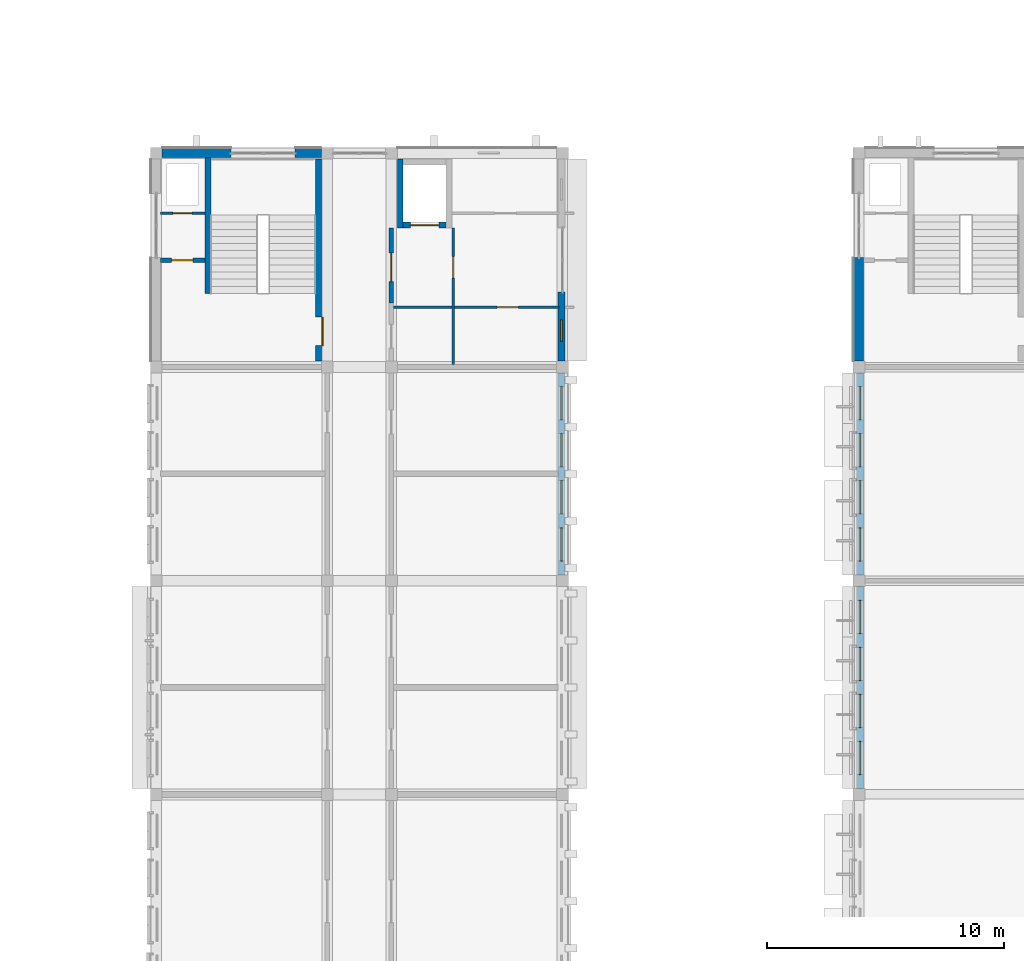
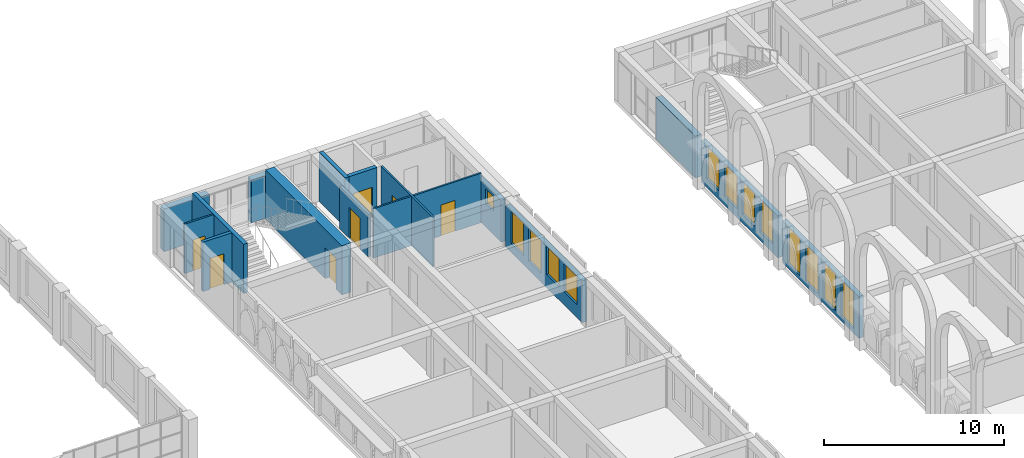
# One storey, part 40 of 70: 16 walls, 13 windows, 7 doors, 20 openings.
"""IFC4 building model written with IfcOpenShell, lengths in metres."""

from ifc_helpers import new_model, si_unit, direction, frame, frame_2d, origin, place, context, subcontext, project, spatial, rectangle, extrude, material, layer, layer_set, type_object, element, fill, save


model = new_model("IFC4")

# Units and contexts
model_context = context("Model", 3, precision=1e-05, world=origin(), true_north=direction((0.0, 1.0)))
body_context = subcontext(model_context, "Body", "Model", "MODEL_VIEW")
ifc_project = project(units=[si_unit("LENGTHUNIT", "METRE"), si_unit("AREAUNIT", "SQUARE_METRE"), si_unit("VOLUMEUNIT", "CUBIC_METRE"), si_unit("PLANEANGLEUNIT", "RADIAN"), si_unit("MASSUNIT", "GRAM", prefix="KILO")], contexts=[model_context])

# Site, building, storey
site_placement = place(None, origin())
site = spatial("IfcSite", under=ifc_project, at=site_placement, CompositionType="ELEMENT")
building_placement = place(site_placement, origin())
building = spatial("IfcBuilding", under=site, at=building_placement, Name="Elbe Cascade School", CompositionType="ELEMENT")
storey_placement = place(building_placement, frame((0.0, 0.0, 8.10009765625)))
storey = spatial("IfcBuildingStorey", under=building, at=storey_placement, Name="L02", CompositionType="ELEMENT", Elevation=8.10009765625)

# Wall, opening, door
ifc_material_1 = material(Name="Masonry - lime-sand block, plastered", Category="masonry")
ifc_layer_1 = layer(ifc_material_1, 0.199951171875)
ifc_layer_set_1 = layer_set([ifc_layer_1], Name="Masonry - lime-sand block, plastered")
wall_type_1 = type_object("IfcWallType", Name="Bar corridor wall lime-sand block 200 EI 30", PredefinedType="PARTITIONING", material=ifc_layer_set_1)
wall_1_placement = place(storey_placement, frame((78.89990234375, 56.85009765625, 0.0), z_axis=(0.0, 0.0, 1.0), x_axis=(0.0, -1.0, 0.0)))
wall_1 = element("IfcWall", 1, at=wall_1_placement, inside=storey, type_object=wall_type_1, Name="Bar corridor wall lime-sand block 200 EI 30", PredefinedType="PARTITIONING", context=body_context, shape_type="SweptSolid", body=[
    extrude(rectangle(XDim=3.150146484375, YDim=0.199951171875, at=frame_2d((1.5751953125, 0.0))), origin(), (0.0, 0.0, 1.0), 2.89990234375),
])
opening_1_placement = place(wall_1_placement, frame((1.050048828125, 0.0, 0.0)))
opening_1 = element("IfcOpeningElement", 2, at=opening_1_placement, cuts=wall_1, Name="Opening D2.023", PredefinedType="OPENING", context=body_context, shape_type="SweptSolid", body=[
    extrude(rectangle(XDim=1.199951171875, YDim=2.10009765625, at=frame_2d((0.60009765625, 1.050048828125))), frame((0.0, 0.10986328125, 0.0), z_axis=(0.0, -1.0, 0.0), x_axis=(1.0, 0.0, 0.0)), (0.0, 0.0, 1.0), 0.219970703125),
])
ifc_material_2 = material(Name="Timber door leaf, fire-resisting and smoke-tight, steel frame", Category="steel")
door_type_1 = type_object("IfcDoorType", Name="Bar door FD30S 1200x2100", OperationType="NOTDEFINED", PredefinedType="DOOR", material=ifc_material_2)
door_1_placement = place(opening_1_placement, origin())
door_1 = element("IfcDoor", 3, at=door_1_placement, inside=storey, type_object=door_type_1, Name="Door A2.15", OperationType="SINGLE_SWING_LEFT", OverallHeight=2.10009765625, OverallWidth=1.199951171875, PredefinedType="DOOR", context=body_context, shape_type="SweptSolid", body=[
    extrude(rectangle(XDim=1.199951171875, YDim=2.10009765625, at=frame_2d((0.60009765625, 1.050048828125))), frame((0.0, 0.02490234375, 0.0), z_axis=(0.0, -1.0, 0.0), x_axis=(1.0, 0.0, 0.0)), (0.0, 0.0, 1.0), 0.050048828125),
])
fill(opening_1, door_1)

ifc_material_3 = material(Name="Masonry - lime-sand block, plastered", Category="masonry")
ifc_layer_2 = layer(ifc_material_3, 0.114990234375)
ifc_layer_set_2 = layer_set([ifc_layer_2], Name="Masonry - lime-sand block, plastered")
wall_type_2 = type_object("IfcWallType", Name="Bar light partition wall lime-sand block 115", PredefinedType="PARTITIONING", material=ifc_layer_set_2)
wall_2_placement = place(storey_placement, frame((69.179931640625, 57.47998046875, 0.0), z_axis=(0.0, 0.0, 1.0), x_axis=(1.0, 0.0, 0.0)))
wall_2 = element("IfcWall", 4, at=wall_2_placement, inside=storey, type_object=wall_type_2, Name="Bar light partition wall lime-sand block 115", PredefinedType="PARTITIONING", context=body_context, shape_type="SweptSolid", body=[
    extrude(rectangle(XDim=1.8701171875, YDim=0.114990234375, at=frame_2d((0.93505859375, 0.0))), origin(), (0.0, 0.0, 1.0), 3.349853515625),
])
opening_2_placement = place(wall_2_placement, frame((0.52001953125, 0.0, 0.0)))
opening_2 = element("IfcOpeningElement", 5, at=opening_2_placement, cuts=wall_2, Name="Opening D2.027", PredefinedType="OPENING", context=body_context, shape_type="SweptSolid", body=[
    extrude(rectangle(XDim=0.800048828125, YDim=2.10009765625, at=frame_2d((0.39990234375, 1.050048828125))), frame((0.0, 0.0673828125, 0.0), z_axis=(0.0, -1.0, 0.0), x_axis=(1.0, 0.0, 0.0)), (0.0, 0.0, 1.0), 0.135009765625),
])
ifc_material_4 = material(Name="Timber door leaf, steel frame", Category="steel")
door_type_2 = type_object("IfcDoorType", Name="Bar door 800x2100", OperationType="NOTDEFINED", PredefinedType="DOOR", material=ifc_material_4)
door_2_placement = place(opening_2_placement, origin())
door_2 = element("IfcDoor", 6, at=door_2_placement, inside=storey, type_object=door_type_2, Name="Door A2.14", OperationType="SINGLE_SWING_LEFT", OverallHeight=2.10009765625, OverallWidth=0.800048828125, PredefinedType="DOOR", context=body_context, shape_type="SweptSolid", body=[
    extrude(rectangle(XDim=0.800048828125, YDim=2.10009765625, at=frame_2d((0.39990234375, 1.050048828125))), frame((0.0, 0.02490234375, 0.0), z_axis=(0.0, -1.0, 0.0), x_axis=(1.0, 0.0, 0.0)), (0.0, 0.0, 1.0), 0.050048828125),
])
fill(opening_2, door_2)

wall_3_placement = place(storey_placement, frame((81.507568359375, 56.85009765625, 0.0), z_axis=(0.0, 0.0, 1.0), x_axis=(0.0, -1.0, 0.0)))
wall_3 = element("IfcWall", 7, at=wall_3_placement, inside=storey, type_object=wall_type_2, Name="Bar light partition wall lime-sand block 115", PredefinedType="PARTITIONING", context=body_context, shape_type="SweptSolid", body=[
    extrude(rectangle(XDim=5.75, YDim=0.114990234375, at=frame_2d((2.875, 0.0))), origin(), (0.0, 0.0, 1.0), 3.349853515625),
])
opening_3_placement = place(wall_3_placement, frame((1.199951171875, 0.0, 0.0)))
opening_3 = element("IfcOpeningElement", 8, at=opening_3_placement, cuts=wall_3, Name="Opening D2.024", PredefinedType="OPENING", context=body_context, shape_type="SweptSolid", body=[
    extrude(rectangle(XDim=0.89990234375, YDim=2.10009765625, at=frame_2d((0.449951171875, 1.050048828125))), frame((0.0, 0.0673828125, 0.0), z_axis=(0.0, -1.0, 0.0), x_axis=(1.0, 0.0, 0.0)), (0.0, 0.0, 1.0), 0.135009765625),
])
ifc_material_5 = material(Name="Timber door leaf, steel frame", Category="steel")
door_type_3 = type_object("IfcDoorType", Name="Bar door 900x2100", OperationType="NOTDEFINED", PredefinedType="DOOR", material=ifc_material_5)
door_3_placement = place(opening_3_placement, origin())
door_3 = element("IfcDoor", 9, at=door_3_placement, inside=storey, type_object=door_type_3, Name="Door A2.16", OperationType="SINGLE_SWING_LEFT", OverallHeight=2.10009765625, OverallWidth=0.89990234375, PredefinedType="DOOR", context=body_context, shape_type="SweptSolid", body=[
    extrude(rectangle(XDim=0.89990234375, YDim=2.10009765625, at=frame_2d((0.449951171875, 1.050048828125))), frame((0.0, 0.02490234375, 0.0), z_axis=(0.0, -1.0, 0.0), x_axis=(1.0, 0.0, 0.0)), (0.0, 0.0, 1.0), 0.050048828125),
])
fill(opening_3, door_3)

wall_4_placement = place(storey_placement, frame((85.949951171875, 53.52001953125, 0.0), z_axis=(0.0, 0.0, 1.0), x_axis=(-1.0, 0.0, 0.0)))
wall_4 = element("IfcWall", 10, at=wall_4_placement, inside=storey, type_object=wall_type_2, Name="Bar light partition wall lime-sand block 115", PredefinedType="PARTITIONING", context=body_context, shape_type="SweptSolid", body=[
    extrude(rectangle(XDim=6.949951171875, YDim=0.114990234375, at=frame_2d((3.47509765625, 0.0))), origin(), (0.0, 0.0, 1.0), 3.349853515625),
])
opening_4_placement = place(wall_4_placement, frame((1.699951171875, 0.0, 0.0)))
opening_4 = element("IfcOpeningElement", 11, at=opening_4_placement, cuts=wall_4, Name="Opening D2.022", PredefinedType="OPENING", context=body_context, shape_type="SweptSolid", body=[
    extrude(rectangle(XDim=0.89990234375, YDim=2.10009765625, at=frame_2d((0.449951171875, 1.050048828125))), frame((0.0, 0.0673828125, 0.0), z_axis=(0.0, -1.0, 0.0), x_axis=(1.0, 0.0, 0.0)), (0.0, 0.0, 1.0), 0.135009765625),
])
door_4_placement = place(opening_4_placement, origin())
door_4 = element("IfcDoor", 12, at=door_4_placement, inside=storey, type_object=door_type_3, Name="Door A2.18", OperationType="SINGLE_SWING_RIGHT", OverallHeight=2.10009765625, OverallWidth=0.89990234375, PredefinedType="DOOR", context=body_context, shape_type="SweptSolid", body=[
    extrude(rectangle(XDim=0.89990234375, YDim=2.10009765625, at=frame_2d((0.449951171875, 1.050048828125))), frame((0.0, 0.02490234375, 0.0), z_axis=(0.0, -1.0, 0.0), x_axis=(1.0, 0.0, 0.0)), (0.0, 0.0, 1.0), 0.050048828125),
])
fill(opening_4, door_4)

# Wall
ifc_material_6 = material(Name="Concrete C30/37", Category="concrete")
ifc_layer_3 = layer(ifc_material_6, 0.25)
ifc_layer_set_3 = layer_set([ifc_layer_3], Name="Concrete C30/37")
wall_type_3 = type_object("IfcWallType", Name="Bar stair core wall RC 250", PredefinedType="SOLIDWALL", material=ifc_layer_set_3)
wall_5_placement = place(storey_placement, frame((71.175048828125, 54.10009765625, 0.0), z_axis=(0.0, 0.0, 1.0), x_axis=(0.0, 1.0, 0.0)))
element("IfcWall", 13, at=wall_5_placement, inside=storey, type_object=wall_type_3, Name="Bar stair core wall RC 250", PredefinedType="SOLIDWALL", context=body_context, shape_type="SweptSolid", body=[
    extrude(rectangle(XDim=5.719970703125, YDim=0.25, at=frame_2d((2.85986328125, 0.0))), origin(), (0.0, 0.0, 1.0), 3.349853515625),
])

# Wall, opening, door
ifc_material_7 = material(Name="Concrete C30/37", Category="concrete")
ifc_layer_4 = layer(ifc_material_7, 0.60009765625)
ifc_layer_set_4 = layer_set([ifc_layer_4], Name="Concrete C30/37")
wall_type_4 = type_object("IfcWallType", Name="Bar stair core wall RC 600", PredefinedType="SOLIDWALL", material=ifc_layer_set_4)
wall_6_placement = place(storey_placement, frame((76.0, 51.25, 0.0), z_axis=(0.0, 0.0, 1.0), x_axis=(0.0, 1.0, 0.0)))
wall_6 = element("IfcWall", 14, at=wall_6_placement, inside=storey, type_object=wall_type_4, Name="Bar stair core wall RC 600", PredefinedType="SOLIDWALL", context=body_context, shape_type="SweptSolid", body=[
    extrude(rectangle(XDim=8.5, YDim=0.60009765625, at=frame_2d((4.25, 0.0))), origin(), (0.0, 0.0, 1.0), 3.349853515625),
])
opening_5_placement = place(wall_6_placement, frame((0.64990234375, 0.0, 0.0)))
opening_5 = element("IfcOpeningElement", 15, at=opening_5_placement, cuts=wall_6, Name="Opening D2.021", PredefinedType="OPENING", context=body_context, shape_type="SweptSolid", body=[
    extrude(rectangle(XDim=1.199951171875, YDim=2.10009765625, at=frame_2d((0.60009765625, 1.050048828125))), frame((0.0, 0.31005859375, 0.0), z_axis=(0.0, -1.0, 0.0), x_axis=(1.0, 0.0, 0.0)), (0.0, 0.0, 1.0), 0.6201171875),
])
door_5_placement = place(opening_5_placement, origin())
door_5 = element("IfcDoor", 16, at=door_5_placement, inside=storey, type_object=door_type_1, Name="Door A2.12", OperationType="SINGLE_SWING_RIGHT", OverallHeight=2.10009765625, OverallWidth=1.199951171875, PredefinedType="DOOR", context=body_context, shape_type="SweptSolid", body=[
    extrude(rectangle(XDim=1.199951171875, YDim=2.10009765625, at=frame_2d((0.60009765625, 1.050048828125))), frame((0.0, 0.02490234375, 0.0), z_axis=(0.0, -1.0, 0.0), x_axis=(1.0, 0.0, 0.0)), (0.0, 0.0, 1.0), 0.050048828125),
])
fill(opening_5, door_5)

ifc_material_8 = material(Name="Concrete C30/37", Category="concrete")
ifc_layer_5 = layer(ifc_material_8, 0.199951171875)
ifc_layer_set_5 = layer_set([ifc_layer_5], Name="Concrete C30/37")
wall_type_5 = type_object("IfcWallType", Name="Bar stair lobby wall RC 200", PredefinedType="SOLIDWALL", material=ifc_layer_set_5)
wall_7_placement = place(storey_placement, frame((69.179931640625, 55.5, 0.0), z_axis=(0.0, 0.0, 1.0), x_axis=(1.0, 0.0, 0.0)))
wall_7 = element("IfcWall", 17, at=wall_7_placement, inside=storey, type_object=wall_type_5, Name="Bar stair lobby wall RC 200", PredefinedType="SOLIDWALL", context=body_context, shape_type="SweptSolid", body=[
    extrude(rectangle(XDim=1.8701171875, YDim=0.199951171875, at=frame_2d((0.93505859375, 0.0))), origin(), (0.0, 0.0, 1.0), 3.349853515625),
])
opening_6_placement = place(wall_7_placement, frame((0.469970703125, 0.0, 0.0)))
opening_6 = element("IfcOpeningElement", 18, at=opening_6_placement, cuts=wall_7, Name="Opening D2.025", PredefinedType="OPENING", context=body_context, shape_type="SweptSolid", body=[
    extrude(rectangle(XDim=0.89990234375, YDim=2.10009765625, at=frame_2d((0.449951171875, 1.050048828125))), frame((0.0, 0.10986328125, 0.0), z_axis=(0.0, -1.0, 0.0), x_axis=(1.0, 0.0, 0.0)), (0.0, 0.0, 1.0), 0.219970703125),
])
ifc_material_9 = material(Name="Timber door leaf, fire-resisting and smoke-tight, steel frame", Category="steel")
door_type_4 = type_object("IfcDoorType", Name="Bar door FD30S 900x2100", OperationType="NOTDEFINED", PredefinedType="DOOR", material=ifc_material_9)
door_6_placement = place(opening_6_placement, origin())
door_6 = element("IfcDoor", 19, at=door_6_placement, inside=storey, type_object=door_type_4, Name="Door A2.13", OperationType="SINGLE_SWING_RIGHT", OverallHeight=2.10009765625, OverallWidth=0.89990234375, PredefinedType="DOOR", context=body_context, shape_type="SweptSolid", body=[
    extrude(rectangle(XDim=0.89990234375, YDim=2.10009765625, at=frame_2d((0.449951171875, 1.050048828125))), frame((0.0, 0.02490234375, 0.0), z_axis=(0.0, -1.0, 0.0), x_axis=(1.0, 0.0, 0.0)), (0.0, 0.0, 1.0), 0.050048828125),
])
fill(opening_6, door_6)

# Wall, openings, windows
ifc_material_10 = material(Name="Brick masonry - red clinker, cavity wall with render backing", Category="masonry")
ifc_layer_6 = layer(ifc_material_10, 0.300048828125)
ifc_layer_set_6 = layer_set([ifc_layer_6], Name="Brick masonry - red clinker, cavity wall with render backing")
wall_type_6 = type_object("IfcWallType", Name="Bars envelope External wall - clinker brick cavity, 300 upper floors", PredefinedType="STANDARD", material=ifc_layer_set_6)
wall_8_placement = place(storey_placement, frame((86.070068359375, 50.75, 0.0), z_axis=(0.0, 0.0, 1.0), x_axis=(0.0, -1.0, 0.0)))
wall_8 = element("IfcWall", 20, at=wall_8_placement, inside=storey, type_object=wall_type_6, Name="External wall W30 A.L02.e5", PredefinedType="STANDARD", context=body_context, shape_type="SweptSolid", body=[
    extrude(rectangle(XDim=8.5, YDim=0.300048828125, at=frame_2d((4.25, 0.0))), origin(), (0.0, 0.0, 1.0), 2.849853515625),
])
opening_7_placement = place(wall_8_placement, frame((6.52001953125, 0.0, 0.89990234375)))
opening_7 = element("IfcOpeningElement", 21, at=opening_7_placement, cuts=wall_8, Name="Opening W2.029", PredefinedType="OPENING", context=body_context, shape_type="SweptSolid", body=[
    extrude(rectangle(XDim=1.39990234375, YDim=1.89990234375, at=frame_2d((0.699951171875, 0.949951171875))), frame((0.0, 0.159912109375, 0.0), z_axis=(0.0, -1.0, 0.0), x_axis=(1.0, 0.0, 0.0)), (0.0, 0.0, 1.0), 0.320068359375),
])
opening_8_placement = place(wall_8_placement, frame((4.5400390625, 0.0, 0.89990234375)))
opening_8 = element("IfcOpeningElement", 22, at=opening_8_placement, cuts=wall_8, Name="Opening W2.031", PredefinedType="OPENING", context=body_context, shape_type="SweptSolid", body=[
    extrude(rectangle(XDim=1.39990234375, YDim=1.89990234375, at=frame_2d((0.699951171875, 0.949951171875))), frame((0.0, 0.159912109375, 0.0), z_axis=(0.0, -1.0, 0.0), x_axis=(1.0, 0.0, 0.0)), (0.0, 0.0, 1.0), 0.320068359375),
])
opening_9_placement = place(wall_8_placement, frame((2.56005859375, 0.0, 0.60009765625)))
opening_9 = element("IfcOpeningElement", 23, at=opening_9_placement, cuts=wall_8, Name="Opening W2.033", PredefinedType="OPENING", context=body_context, shape_type="SweptSolid", body=[
    extrude(rectangle(XDim=1.39990234375, YDim=2.199951171875, at=frame_2d((0.699951171875, 1.10009765625))), frame((0.0, 0.159912109375, 0.0), z_axis=(0.0, -1.0, 0.0), x_axis=(1.0, 0.0, 0.0)), (0.0, 0.0, 1.0), 0.320068359375),
])
opening_10_placement = place(wall_8_placement, frame((0.580078125, 0.0, 0.60009765625)))
opening_10 = element("IfcOpeningElement", 24, at=opening_10_placement, cuts=wall_8, Name="Opening W2.035", PredefinedType="OPENING", context=body_context, shape_type="SweptSolid", body=[
    extrude(rectangle(XDim=1.39990234375, YDim=2.199951171875, at=frame_2d((0.699951171875, 1.10009765625))), frame((0.0, 0.159912109375, 0.0), z_axis=(0.0, -1.0, 0.0), x_axis=(1.0, 0.0, 0.0)), (0.0, 0.0, 1.0), 0.320068359375),
])
ifc_material_11 = material(Name="Aluminium frame with double glazing, bronze anodised", Category="aluminium")
window_type_1 = type_object("IfcWindowType", Name="Bars envelope Window 1400 x 1900, laboratory and office, bench height sill, aluminium double glazed", PartitioningType="DOUBLE_PANEL_VERTICAL", PredefinedType="WINDOW", material=ifc_material_11)
window_1_placement = place(opening_7_placement, origin())
window_1 = element("IfcWindow", 25, at=window_1_placement, inside=storey, type_object=window_type_1, Name="Window WN6 A.L02.e5.1", OverallHeight=1.89990234375, OverallWidth=1.39990234375, PartitioningType="DOUBLE_PANEL_VERTICAL", PredefinedType="WINDOW", context=body_context, shape_type="SweptSolid", body=[
    extrude(rectangle(XDim=1.39990234375, YDim=1.89990234375, at=frame_2d((0.699951171875, 0.949951171875))), frame((0.0, 0.030029296875, 0.0), z_axis=(0.0, -1.0, 0.0), x_axis=(1.0, 0.0, 0.0)), (0.0, 0.0, 1.0), 0.06005859375),
])
fill(opening_7, window_1)
window_2_placement = place(opening_8_placement, origin())
window_2 = element("IfcWindow", 26, at=window_2_placement, inside=storey, type_object=window_type_1, Name="Window WN6 A.L02.e5.2", OverallHeight=1.89990234375, OverallWidth=1.39990234375, PartitioningType="DOUBLE_PANEL_VERTICAL", PredefinedType="WINDOW", context=body_context, shape_type="SweptSolid", body=[
    extrude(rectangle(XDim=1.39990234375, YDim=1.89990234375, at=frame_2d((0.699951171875, 0.949951171875))), frame((0.0, 0.030029296875, 0.0), z_axis=(0.0, -1.0, 0.0), x_axis=(1.0, 0.0, 0.0)), (0.0, 0.0, 1.0), 0.06005859375),
])
fill(opening_8, window_2)
ifc_material_12 = material(Name="Aluminium frame with double glazing, bronze anodised", Category="aluminium")
window_type_2 = type_object("IfcWindowType", Name="Bars envelope Window 1400 x 2200, classroom, aluminium double glazed", PartitioningType="DOUBLE_PANEL_VERTICAL", PredefinedType="WINDOW", material=ifc_material_12)
window_3_placement = place(opening_9_placement, origin())
window_3 = element("IfcWindow", 27, at=window_3_placement, inside=storey, type_object=window_type_2, Name="Window WN7 A.L02.e5.3", OverallHeight=2.199951171875, OverallWidth=1.39990234375, PartitioningType="DOUBLE_PANEL_VERTICAL", PredefinedType="WINDOW", context=body_context, shape_type="SweptSolid", body=[
    extrude(rectangle(XDim=1.39990234375, YDim=2.199951171875, at=frame_2d((0.699951171875, 1.10009765625))), frame((0.0, 0.030029296875, 0.0), z_axis=(0.0, -1.0, 0.0), x_axis=(1.0, 0.0, 0.0)), (0.0, 0.0, 1.0), 0.06005859375),
])
fill(opening_9, window_3)
window_4_placement = place(opening_10_placement, origin())
window_4 = element("IfcWindow", 28, at=window_4_placement, inside=storey, type_object=window_type_2, Name="Window WN7 A.L02.e5.4", OverallHeight=2.199951171875, OverallWidth=1.39990234375, PartitioningType="DOUBLE_PANEL_VERTICAL", PredefinedType="WINDOW", context=body_context, shape_type="SweptSolid", body=[
    extrude(rectangle(XDim=1.39990234375, YDim=2.199951171875, at=frame_2d((0.699951171875, 1.10009765625))), frame((0.0, 0.030029296875, 0.0), z_axis=(0.0, -1.0, 0.0), x_axis=(1.0, 0.0, 0.0)), (0.0, 0.0, 1.0), 0.06005859375),
])
fill(opening_10, window_4)

# Wall, opening, window
wall_9_placement = place(storey_placement, frame((86.070068359375, 54.14990234375, 0.0), z_axis=(0.0, 0.0, 1.0), x_axis=(0.0, -1.0, 0.0)))
wall_9 = element("IfcWall", 29, at=wall_9_placement, inside=storey, type_object=wall_type_6, Name="External wall W30 A.L02.e6a", PredefinedType="STANDARD", context=body_context, shape_type="SweptSolid", body=[
    extrude(rectangle(XDim=2.89990234375, YDim=0.300048828125, at=frame_2d((1.449951171875, 0.0))), origin(), (0.0, 0.0, 1.0), 2.849853515625),
])
opening_11_placement = place(wall_9_placement, frame((1.169921875, 0.0, 1.60009765625)))
opening_11 = element("IfcOpeningElement", 30, at=opening_11_placement, cuts=wall_9, Name="Opening W2.036", PredefinedType="OPENING", context=body_context, shape_type="SweptSolid", body=[
    extrude(rectangle(XDim=0.89990234375, YDim=1.0, at=frame_2d((0.449951171875, 0.5))), frame((0.0, 0.159912109375, 0.0), z_axis=(0.0, -1.0, 0.0), x_axis=(1.0, 0.0, 0.0)), (0.0, 0.0, 1.0), 0.320068359375),
])
ifc_material_13 = material(Name="Aluminium frame with double glazing, bronze anodised", Category="aluminium")
window_type_3 = type_object("IfcWindowType", Name="Bars envelope Window 900 x 1000, WC and service room, high level, aluminium double glazed", PartitioningType="SINGLE_PANEL", PredefinedType="WINDOW", material=ifc_material_13)
window_5_placement = place(opening_11_placement, origin())
window_5 = element("IfcWindow", 31, at=window_5_placement, inside=storey, type_object=window_type_3, Name="Window WN4 A.L02.e6a.1", OverallHeight=1.0, OverallWidth=0.89990234375, PartitioningType="SINGLE_PANEL", PredefinedType="WINDOW", context=body_context, shape_type="SweptSolid", body=[
    extrude(rectangle(XDim=0.89990234375, YDim=1.0, at=frame_2d((0.449951171875, 0.5))), frame((0.0, 0.030029296875, 0.0), z_axis=(0.0, -1.0, 0.0), x_axis=(1.0, 0.0, 0.0)), (0.0, 0.0, 1.0), 0.06005859375),
])
fill(opening_11, window_5)

# Wall, openings, windows
wall_10_placement = place(storey_placement, frame((98.6298828125, 33.25, 0.0), z_axis=(0.0, 0.0, 1.0), x_axis=(0.0, 1.0, 0.0)))
wall_10 = element("IfcWall", 32, at=wall_10_placement, inside=storey, type_object=wall_type_6, Name="External wall W30 B.L02.w4", PredefinedType="STANDARD", context=body_context, shape_type="SweptSolid", body=[
    extrude(rectangle(XDim=8.5, YDim=0.300048828125, at=frame_2d((4.25, 0.0))), origin(), (0.0, 0.0, 1.0), 2.849853515625),
])
opening_12_placement = place(wall_10_placement, frame((0.580078125, 0.0, 0.300048828125)))
opening_12 = element("IfcOpeningElement", 33, at=opening_12_placement, cuts=wall_10, Name="Opening W2.058", PredefinedType="OPENING", context=body_context, shape_type="SweptSolid", body=[
    extrude(rectangle(XDim=1.39990234375, YDim=2.5, at=frame_2d((0.699951171875, 1.25))), frame((0.0, 0.159912109375, 0.0), z_axis=(0.0, -1.0, 0.0), x_axis=(1.0, 0.0, 0.0)), (0.0, 0.0, 1.0), 0.320068359375),
])
opening_13_placement = place(wall_10_placement, frame((2.56005859375, 0.0, 0.300048828125)))
opening_13 = element("IfcOpeningElement", 34, at=opening_13_placement, cuts=wall_10, Name="Opening W2.060", PredefinedType="OPENING", context=body_context, shape_type="SweptSolid", body=[
    extrude(rectangle(XDim=1.39990234375, YDim=2.5, at=frame_2d((0.699951171875, 1.25))), frame((0.0, 0.159912109375, 0.0), z_axis=(0.0, -1.0, 0.0), x_axis=(1.0, 0.0, 0.0)), (0.0, 0.0, 1.0), 0.320068359375),
])
opening_14_placement = place(wall_10_placement, frame((4.5400390625, 0.0, 0.300048828125)))
opening_14 = element("IfcOpeningElement", 35, at=opening_14_placement, cuts=wall_10, Name="Opening W2.062", PredefinedType="OPENING", context=body_context, shape_type="SweptSolid", body=[
    extrude(rectangle(XDim=1.39990234375, YDim=2.5, at=frame_2d((0.699951171875, 1.25))), frame((0.0, 0.159912109375, 0.0), z_axis=(0.0, -1.0, 0.0), x_axis=(1.0, 0.0, 0.0)), (0.0, 0.0, 1.0), 0.320068359375),
])
opening_15_placement = place(wall_10_placement, frame((6.52001953125, 0.0, 0.300048828125)))
opening_15 = element("IfcOpeningElement", 36, at=opening_15_placement, cuts=wall_10, Name="Opening W2.064", PredefinedType="OPENING", context=body_context, shape_type="SweptSolid", body=[
    extrude(rectangle(XDim=1.39990234375, YDim=2.5, at=frame_2d((0.699951171875, 1.25))), frame((0.0, 0.159912109375, 0.0), z_axis=(0.0, -1.0, 0.0), x_axis=(1.0, 0.0, 0.0)), (0.0, 0.0, 1.0), 0.320068359375),
])
ifc_material_14 = material(Name="Aluminium frame with double glazing, bronze anodised", Category="aluminium")
window_type_4 = type_object("IfcWindowType", Name="Bars envelope Window 1400 x 2500, library reading, tall, aluminium double glazed", PartitioningType="DOUBLE_PANEL_VERTICAL", PredefinedType="WINDOW", material=ifc_material_14)
window_6_placement = place(opening_12_placement, origin())
window_6 = element("IfcWindow", 37, at=window_6_placement, inside=storey, type_object=window_type_4, Name="Window WN5 B.L02.w4.1", OverallHeight=2.5, OverallWidth=1.39990234375, PartitioningType="DOUBLE_PANEL_VERTICAL", PredefinedType="WINDOW", context=body_context, shape_type="SweptSolid", body=[
    extrude(rectangle(XDim=1.39990234375, YDim=2.5, at=frame_2d((0.699951171875, 1.25))), frame((0.0, 0.030029296875, 0.0), z_axis=(0.0, -1.0, 0.0), x_axis=(1.0, 0.0, 0.0)), (0.0, 0.0, 1.0), 0.06005859375),
])
fill(opening_12, window_6)
window_7_placement = place(opening_13_placement, origin())
window_7 = element("IfcWindow", 38, at=window_7_placement, inside=storey, type_object=window_type_4, Name="Window WN5 B.L02.w4.2", OverallHeight=2.5, OverallWidth=1.39990234375, PartitioningType="DOUBLE_PANEL_VERTICAL", PredefinedType="WINDOW", context=body_context, shape_type="SweptSolid", body=[
    extrude(rectangle(XDim=1.39990234375, YDim=2.5, at=frame_2d((0.699951171875, 1.25))), frame((0.0, 0.030029296875, 0.0), z_axis=(0.0, -1.0, 0.0), x_axis=(1.0, 0.0, 0.0)), (0.0, 0.0, 1.0), 0.06005859375),
])
fill(opening_13, window_7)
window_8_placement = place(opening_14_placement, origin())
window_8 = element("IfcWindow", 39, at=window_8_placement, inside=storey, type_object=window_type_4, Name="Window WN5 B.L02.w4.3", OverallHeight=2.5, OverallWidth=1.39990234375, PartitioningType="DOUBLE_PANEL_VERTICAL", PredefinedType="WINDOW", context=body_context, shape_type="SweptSolid", body=[
    extrude(rectangle(XDim=1.39990234375, YDim=2.5, at=frame_2d((0.699951171875, 1.25))), frame((0.0, 0.030029296875, 0.0), z_axis=(0.0, -1.0, 0.0), x_axis=(1.0, 0.0, 0.0)), (0.0, 0.0, 1.0), 0.06005859375),
])
fill(opening_14, window_8)
window_9_placement = place(opening_15_placement, origin())
window_9 = element("IfcWindow", 40, at=window_9_placement, inside=storey, type_object=window_type_4, Name="Window WN5 B.L02.w4.4", OverallHeight=2.5, OverallWidth=1.39990234375, PartitioningType="DOUBLE_PANEL_VERTICAL", PredefinedType="WINDOW", context=body_context, shape_type="SweptSolid", body=[
    extrude(rectangle(XDim=1.39990234375, YDim=2.5, at=frame_2d((0.699951171875, 1.25))), frame((0.0, 0.030029296875, 0.0), z_axis=(0.0, -1.0, 0.0), x_axis=(1.0, 0.0, 0.0)), (0.0, 0.0, 1.0), 0.06005859375),
])
fill(opening_15, window_9)

wall_11_placement = place(storey_placement, frame((98.6298828125, 42.25, 0.0), z_axis=(0.0, 0.0, 1.0), x_axis=(0.0, 1.0, 0.0)))
wall_11 = element("IfcWall", 41, at=wall_11_placement, inside=storey, type_object=wall_type_6, Name="External wall W30 B.L02.w5", PredefinedType="STANDARD", context=body_context, shape_type="SweptSolid", body=[
    extrude(rectangle(XDim=8.5, YDim=0.300048828125, at=frame_2d((4.25, 0.0))), origin(), (0.0, 0.0, 1.0), 2.849853515625),
])
opening_16_placement = place(wall_11_placement, frame((0.580078125, 0.0, 0.60009765625)))
opening_16 = element("IfcOpeningElement", 42, at=opening_16_placement, cuts=wall_11, Name="Opening W2.066", PredefinedType="OPENING", context=body_context, shape_type="SweptSolid", body=[
    extrude(rectangle(XDim=1.39990234375, YDim=2.199951171875, at=frame_2d((0.699951171875, 1.10009765625))), frame((0.0, 0.159912109375, 0.0), z_axis=(0.0, -1.0, 0.0), x_axis=(1.0, 0.0, 0.0)), (0.0, 0.0, 1.0), 0.320068359375),
])
opening_17_placement = place(wall_11_placement, frame((2.56005859375, 0.0, 0.60009765625)))
opening_17 = element("IfcOpeningElement", 43, at=opening_17_placement, cuts=wall_11, Name="Opening W2.068", PredefinedType="OPENING", context=body_context, shape_type="SweptSolid", body=[
    extrude(rectangle(XDim=1.39990234375, YDim=2.199951171875, at=frame_2d((0.699951171875, 1.10009765625))), frame((0.0, 0.159912109375, 0.0), z_axis=(0.0, -1.0, 0.0), x_axis=(1.0, 0.0, 0.0)), (0.0, 0.0, 1.0), 0.320068359375),
])
opening_18_placement = place(wall_11_placement, frame((4.5400390625, 0.0, 0.60009765625)))
opening_18 = element("IfcOpeningElement", 44, at=opening_18_placement, cuts=wall_11, Name="Opening W2.070", PredefinedType="OPENING", context=body_context, shape_type="SweptSolid", body=[
    extrude(rectangle(XDim=1.39990234375, YDim=2.199951171875, at=frame_2d((0.699951171875, 1.10009765625))), frame((0.0, 0.159912109375, 0.0), z_axis=(0.0, -1.0, 0.0), x_axis=(1.0, 0.0, 0.0)), (0.0, 0.0, 1.0), 0.320068359375),
])
opening_19_placement = place(wall_11_placement, frame((6.52001953125, 0.0, 0.60009765625)))
opening_19 = element("IfcOpeningElement", 45, at=opening_19_placement, cuts=wall_11, Name="Opening W2.072", PredefinedType="OPENING", context=body_context, shape_type="SweptSolid", body=[
    extrude(rectangle(XDim=1.39990234375, YDim=2.199951171875, at=frame_2d((0.699951171875, 1.10009765625))), frame((0.0, 0.159912109375, 0.0), z_axis=(0.0, -1.0, 0.0), x_axis=(1.0, 0.0, 0.0)), (0.0, 0.0, 1.0), 0.320068359375),
])
window_10_placement = place(opening_16_placement, origin())
window_10 = element("IfcWindow", 46, at=window_10_placement, inside=storey, type_object=window_type_2, Name="Window WN7 B.L02.w5.1", OverallHeight=2.199951171875, OverallWidth=1.39990234375, PartitioningType="DOUBLE_PANEL_VERTICAL", PredefinedType="WINDOW", context=body_context, shape_type="SweptSolid", body=[
    extrude(rectangle(XDim=1.39990234375, YDim=2.199951171875, at=frame_2d((0.699951171875, 1.10009765625))), frame((0.0, 0.030029296875, 0.0), z_axis=(0.0, -1.0, 0.0), x_axis=(1.0, 0.0, 0.0)), (0.0, 0.0, 1.0), 0.06005859375),
])
fill(opening_16, window_10)
window_11_placement = place(opening_17_placement, origin())
window_11 = element("IfcWindow", 47, at=window_11_placement, inside=storey, type_object=window_type_2, Name="Window WN7 B.L02.w5.2", OverallHeight=2.199951171875, OverallWidth=1.39990234375, PartitioningType="DOUBLE_PANEL_VERTICAL", PredefinedType="WINDOW", context=body_context, shape_type="SweptSolid", body=[
    extrude(rectangle(XDim=1.39990234375, YDim=2.199951171875, at=frame_2d((0.699951171875, 1.10009765625))), frame((0.0, 0.030029296875, 0.0), z_axis=(0.0, -1.0, 0.0), x_axis=(1.0, 0.0, 0.0)), (0.0, 0.0, 1.0), 0.06005859375),
])
fill(opening_17, window_11)
window_12_placement = place(opening_18_placement, origin())
window_12 = element("IfcWindow", 48, at=window_12_placement, inside=storey, type_object=window_type_2, Name="Window WN7 B.L02.w5.3", OverallHeight=2.199951171875, OverallWidth=1.39990234375, PartitioningType="DOUBLE_PANEL_VERTICAL", PredefinedType="WINDOW", context=body_context, shape_type="SweptSolid", body=[
    extrude(rectangle(XDim=1.39990234375, YDim=2.199951171875, at=frame_2d((0.699951171875, 1.10009765625))), frame((0.0, 0.030029296875, 0.0), z_axis=(0.0, -1.0, 0.0), x_axis=(1.0, 0.0, 0.0)), (0.0, 0.0, 1.0), 0.06005859375),
])
fill(opening_18, window_12)
window_13_placement = place(opening_19_placement, origin())
window_13 = element("IfcWindow", 49, at=window_13_placement, inside=storey, type_object=window_type_2, Name="Window WN7 B.L02.w5.4", OverallHeight=2.199951171875, OverallWidth=1.39990234375, PartitioningType="DOUBLE_PANEL_VERTICAL", PredefinedType="WINDOW", context=body_context, shape_type="SweptSolid", body=[
    extrude(rectangle(XDim=1.39990234375, YDim=2.199951171875, at=frame_2d((0.699951171875, 1.10009765625))), frame((0.0, 0.030029296875, 0.0), z_axis=(0.0, -1.0, 0.0), x_axis=(1.0, 0.0, 0.0)), (0.0, 0.0, 1.0), 0.06005859375),
])
fill(opening_19, window_13)

# Walls
ifc_material_15 = material(Name="Brick masonry - red clinker, solid, sandstone-faced", Category="masonry")
ifc_layer_7 = layer(ifc_material_15, 0.39990234375)
ifc_layer_set_7 = layer_set([ifc_layer_7], Name="Brick masonry - red clinker, solid, sandstone-faced")
wall_type_7 = type_object("IfcWallType", Name="Bars envelope External wall - solid masonry core strip, sandstone faced, 400", PredefinedType="STANDARD", material=ifc_layer_set_7)
wall_12_placement = place(storey_placement, frame((69.25, 60.02001953125, 0.0), z_axis=(0.0, 0.0, 1.0), x_axis=(1.0, 0.0, 0.0)))
element("IfcWall", 50, at=wall_12_placement, inside=storey, type_object=wall_type_7, Name="External wall W31 A.L02.n1a", PredefinedType="STANDARD", context=body_context, shape_type="SweptSolid", body=[
    extrude(rectangle(XDim=2.89990234375, YDim=0.39990234375, at=frame_2d((1.449951171875, 0.0))), origin(), (0.0, 0.0, 1.0), 2.89990234375),
])
wall_13_placement = place(storey_placement, frame((74.85009765625, 60.02001953125, 0.0), z_axis=(0.0, 0.0, 1.0), x_axis=(1.0, 0.0, 0.0)))
element("IfcWall", 51, at=wall_13_placement, inside=storey, type_object=wall_type_7, Name="External wall W31 A.L02.n1b", PredefinedType="STANDARD", context=body_context, shape_type="SweptSolid", body=[
    extrude(rectangle(XDim=1.099853515625, YDim=0.39990234375, at=frame_2d((0.5498046875, 0.0))), origin(), (0.0, 0.0, 1.0), 2.89990234375),
])
wall_14_placement = place(storey_placement, frame((98.580078125, 51.25, 0.0), z_axis=(0.0, 0.0, 1.0), x_axis=(0.0, 1.0, 0.0)))
element("IfcWall", 52, at=wall_14_placement, inside=storey, type_object=wall_type_7, Name="External wall W31 B.L02.w6a", PredefinedType="STANDARD", context=body_context, shape_type="SweptSolid", body=[
    extrude(rectangle(XDim=4.360107421875, YDim=0.39990234375, at=frame_2d((2.18017578125, 0.0))), origin(), (0.0, 0.0, 1.0), 2.849853515625),
])
ifc_material_16 = material(Name="Concrete C30/37", Category="concrete")
ifc_layer_8 = layer(ifc_material_16, 0.25)
ifc_layer_set_8 = layer_set([ifc_layer_8], Name="Concrete C30/37")
wall_type_8 = type_object("IfcWallType", Name="Shaft wall 250", PredefinedType="SHEAR", material=ifc_layer_set_8)
wall_15_placement = place(storey_placement, frame((79.27490234375, 56.85009765625, 0.0), z_axis=(0.0, 0.0, 1.0), x_axis=(0.0, 1.0, 0.0)))
element("IfcWall", 53, at=wall_15_placement, inside=storey, type_object=wall_type_8, Name="Shaft wall 250 W1", PredefinedType="SHEAR", context=body_context, shape_type="SweptSolid", body=[
    extrude(rectangle(XDim=2.89990234375, YDim=0.25, at=frame_2d((1.449951171875, 0.0))), origin(), (0.0, 0.0, 1.0), 3.349853515625),
])

# Wall, opening, door
wall_16_placement = place(storey_placement, frame((79.39990234375, 56.97509765625, 0.0), z_axis=(0.0, 0.0, 1.0), x_axis=(1.0, 0.0, 0.0)))
wall_16 = element("IfcWall", 54, at=wall_16_placement, inside=storey, type_object=wall_type_8, Name="Shaft wall 250 W1", PredefinedType="SHEAR", context=body_context, shape_type="SweptSolid", body=[
    extrude(rectangle(XDim=1.800048828125, YDim=0.25, at=frame_2d((0.89990234375, 0.0))), origin(), (0.0, 0.0, 1.0), 3.349853515625),
])
opening_20_placement = place(wall_16_placement, frame((0.300048828125, 0.0, 0.0)))
opening_20 = element("IfcOpeningElement", 55, at=opening_20_placement, cuts=wall_16, Name="Opening D2.026", PredefinedType="OPENING", context=body_context, shape_type="SweptSolid", body=[
    extrude(rectangle(XDim=1.199951171875, YDim=2.10009765625, at=frame_2d((0.60009765625, 1.050048828125))), frame((0.0, 0.135009765625, 0.0), z_axis=(0.0, -1.0, 0.0), x_axis=(1.0, 0.0, 0.0)), (0.0, 0.0, 1.0), 0.27001953125),
])
ifc_material_17 = material(Name="Stainless steel sliding door leaf", Category="steel")
door_type_5 = type_object("IfcDoorType", Name="Bar lift landing door 1200x2100", OperationType="SLIDING_TO_LEFT", PredefinedType="DOOR", material=ifc_material_17)
door_7_placement = place(opening_20_placement, origin())
door_7 = element("IfcDoor", 56, at=door_7_placement, inside=storey, type_object=door_type_5, Name="Lift landing door LDA2.2", OperationType="SLIDING_TO_LEFT", OverallHeight=2.10009765625, OverallWidth=1.199951171875, PredefinedType="DOOR", context=body_context, shape_type="SweptSolid", body=[
    extrude(rectangle(XDim=1.199951171875, YDim=2.10009765625, at=frame_2d((0.60009765625, 1.050048828125))), frame((0.0, 0.02490234375, 0.0), z_axis=(0.0, -1.0, 0.0), x_axis=(1.0, 0.0, 0.0)), (0.0, 0.0, 1.0), 0.050048828125),
])
fill(opening_20, door_7)

save(model, "model.ifc")
